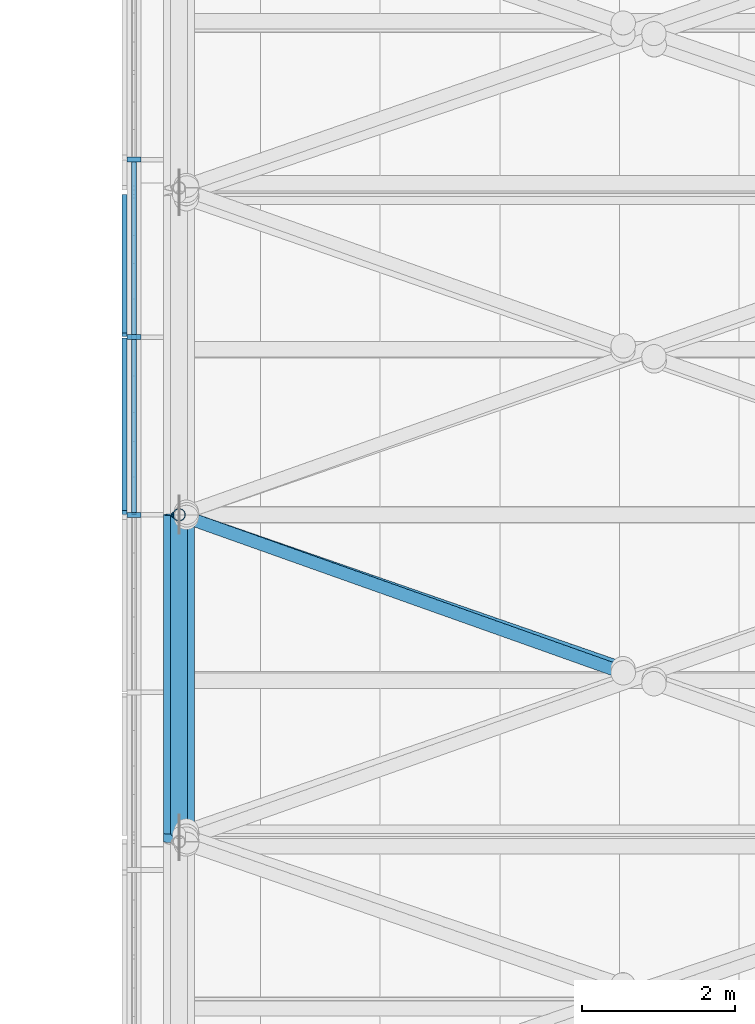
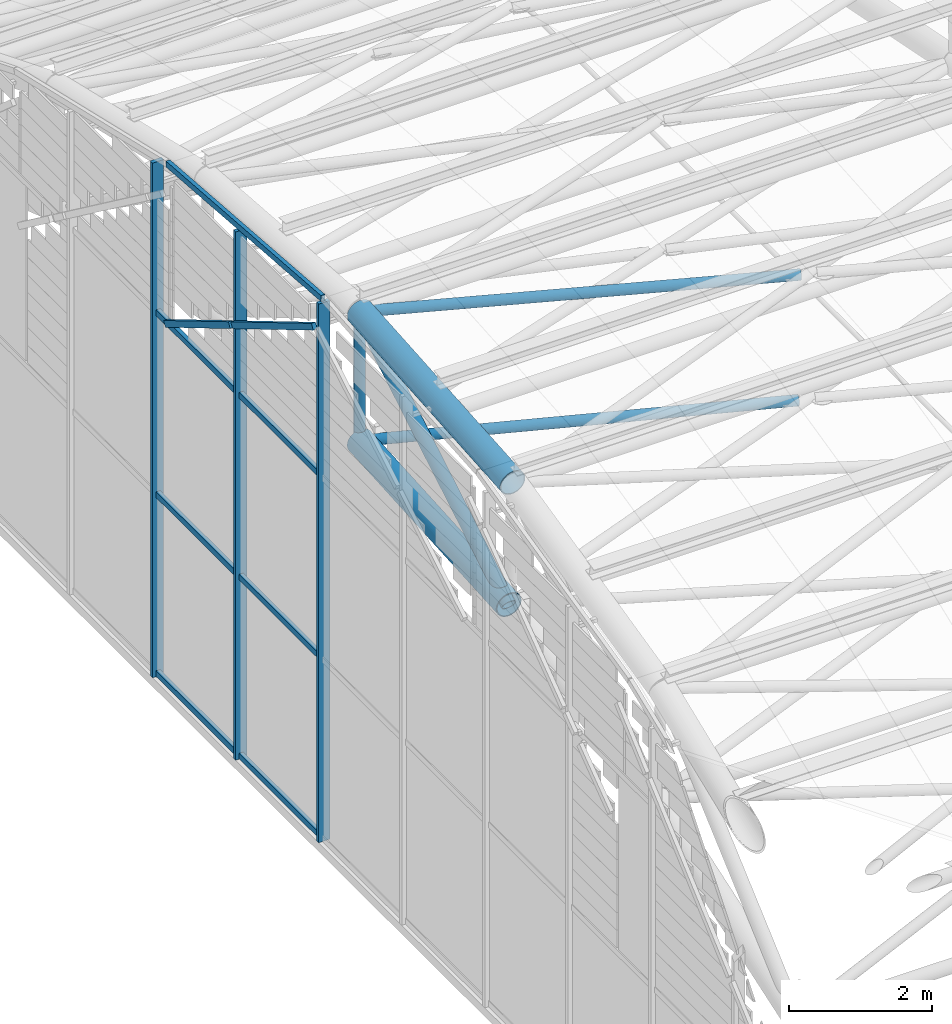
# One storey, part 11 of 110: 18 members, 1 element without a shape of its own.
"""IFC4 building model written with IfcOpenShell, lengths in metres."""

import ifcopenshell
import ifcopenshell.guid

model = None  # the IFC model being written
_history = None  # IfcOwnerHistory: only IFC2X3 demands one
_inside = {}  # id of a spatial element -> (the spatial element, [elements in it])
_under = {}  # id of a project, library or spatial element -> (it, [spatial elements below it])
_declared = {}  # id of a project -> (the project, [libraries it declares])
_typed = {}  # id of a type object -> (the type object, [elements of that type])
_made_of = {}  # id of a material, layer set ... -> (it, [elements and type objects made of it])


def new_model(schema):
    """Start an empty IFC model of exactly this schema.

    Asked for "IFC4X3", IfcOpenShell would pick the latest addendum, in which some entities
    have other attributes; the version numbers below select the first issue.
    IFC2X3 requires an IfcOwnerHistory on every rooted entity: one is made here for all.
    """
    global model, _history
    if schema == "IFC4X3":
        model = ifcopenshell.file(schema_version=(4, 3, 0, 0))
    else:
        model = ifcopenshell.file(schema=schema)
    _inside.clear()
    _under.clear()
    _declared.clear()
    _typed.clear()
    _made_of.clear()
    _history = None
    if model.schema == "IFC2X3":
        org = make("IfcOrganization", Name="unknown")
        user = make(
            "IfcPersonAndOrganization",
            ThePerson=make("IfcPerson", FamilyName="unknown"),
            TheOrganization=org,
        )
        app = make(
            "IfcApplication",
            ApplicationDeveloper=org,
            Version="unknown",
            ApplicationFullName="unknown",
            ApplicationIdentifier="unknown",
        )
        _history = make(
            "IfcOwnerHistory",
            OwningUser=user,
            OwningApplication=app,
            ChangeAction="ADDED",
            CreationDate=0,
        )
    return model


def make(cls, **values):
    """One entity of the class cls with the attributes given. An attribute that is None is left unset."""
    return model.create_entity(
        cls, **{name: value for name, value in values.items() if value is not None}
    )


def rooted(cls, **values):
    """An entity with a GlobalId (a new one), such as an element, a storey or a relation."""
    return make(cls, GlobalId=ifcopenshell.guid.new(), OwnerHistory=_history, **values)


def si_unit(unit_type, name, prefix=None):
    """IfcSIUnit, for example si_unit("LENGTHUNIT", "METRE", prefix="MILLI")."""
    return make("IfcSIUnit", UnitType=unit_type, Prefix=prefix, Name=name)


def assignment(units):
    """IfcUnitAssignment: the units of a project."""
    return None if units is None else make("IfcUnitAssignment", Units=units)


def point(xyz):
    """IfcCartesianPoint."""
    return None if xyz is None else make("IfcCartesianPoint", Coordinates=xyz)


def direction(xyz):
    """IfcDirection."""
    return None if xyz is None else make("IfcDirection", DirectionRatios=xyz)


def frame(location, z_axis=None, x_axis=None):
    """IfcAxis2Placement3D, a coordinate frame: its origin and axes. An axis left out is left unset."""
    return make(
        "IfcAxis2Placement3D",
        Location=point(location),
        Axis=direction(z_axis),
        RefDirection=direction(x_axis),
    )


def frame_2d(location, x_axis=None):
    """IfcAxis2Placement2D, a coordinate frame in the plane: its origin and x axis."""
    return make(
        "IfcAxis2Placement2D", Location=point(location), RefDirection=direction(x_axis)
    )


def origin():
    """The frame at (0, 0, 0) with its axes left unset."""
    return frame((0.0, 0.0, 0.0))


def origin_2d():
    """The frame at (0, 0) in the plane with its x axis left unset."""
    return frame_2d((0.0, 0.0))


def place(relative_to, where):
    """IfcLocalPlacement: puts the frame where relative to a parent placement (None: the world)."""
    return make(
        "IfcLocalPlacement", PlacementRelTo=relative_to, RelativePlacement=where
    )


def context(
    kind, dimensions, precision=None, world=None, true_north=None, identifier=None
):
    """IfcGeometricRepresentationContext, for example the 3D "Model" context."""
    return make(
        "IfcGeometricRepresentationContext",
        ContextIdentifier=identifier,
        ContextType=kind,
        CoordinateSpaceDimension=dimensions,
        Precision=precision,
        WorldCoordinateSystem=world,
        TrueNorth=true_north,
    )


def subcontext(parent, identifier, kind, view, scale=None):
    """IfcGeometricRepresentationSubContext, for example "Body" below "Model"."""
    return make(
        "IfcGeometricRepresentationSubContext",
        ContextIdentifier=identifier,
        ContextType=kind,
        ParentContext=parent,
        TargetScale=scale,
        TargetView=view,
    )


def project(units=None, contexts=None):
    """IfcProject with its units and contexts."""
    return rooted(
        "IfcProject",
        Name="project",
        RepresentationContexts=contexts,
        UnitsInContext=assignment(units),
    )


def spatial(cls, under=None, at=None, **own):
    """A site, building, storey or space (cls), placed at a placement, below another one or the project."""
    s = rooted(cls, ObjectPlacement=at, **own)
    if under is not None:
        _under.setdefault(under.id(), (under, []))[1].append(s)
    return s


def profile(cls, at=None, kind="AREA", **sizes):
    """A parametric profile (cls). Its sizes go by their IFC names, for example OverallWidth=200.0."""
    return make(cls, ProfileType=kind, Position=at, **sizes)


def rectangle(**sizes):
    """IfcRectangleProfileDef."""
    return profile("IfcRectangleProfileDef", **sizes)


def hollow_circle(**sizes):
    """IfcCircleHollowProfileDef."""
    return profile("IfcCircleHollowProfileDef", **sizes)


def extrude(swept, where, along, depth):
    """IfcExtrudedAreaSolid: the profile swept, set in the frame where, extruded along a direction by depth."""
    return make(
        "IfcExtrudedAreaSolid",
        SweptArea=swept,
        Position=where,
        ExtrudedDirection=direction(along),
        Depth=depth,
    )


def shape(context_of_items, identifier, shape_type, items):
    """IfcShapeRepresentation: the items that make up one representation, for example the "Body"."""
    return make(
        "IfcShapeRepresentation",
        ContextOfItems=context_of_items,
        RepresentationIdentifier=identifier,
        RepresentationType=shape_type,
        Items=items,
    )


def material(Name=None, Category=None):
    """IfcMaterial."""
    return make("IfcMaterial", Name=Name, Category=Category)


def layer(
    of_material, thickness, ventilated=None, Name=None, Category=None, Priority=None
):
    """IfcMaterialLayer: one layer of a wall or slab, of a material (None: an air gap)."""
    return make(
        "IfcMaterialLayer",
        Material=of_material,
        LayerThickness=thickness,
        IsVentilated=ventilated,
        Name=Name,
        Category=Category,
        Priority=Priority,
    )


def layer_set(layers, Name=None):
    """IfcMaterialLayerSet."""
    return make("IfcMaterialLayerSet", MaterialLayers=layers, LayerSetName=Name)


def material_profile(
    of_material, cross_section, Name=None, Category=None, Priority=None
):
    """IfcMaterialProfile: a cross section and its material."""
    return make(
        "IfcMaterialProfile",
        Name=Name,
        Material=of_material,
        Profile=cross_section,
        Priority=Priority,
        Category=Category,
    )


def profile_set(profiles, Name=None, composite=None):
    """IfcMaterialProfileSet."""
    return make(
        "IfcMaterialProfileSet",
        Name=Name,
        MaterialProfiles=profiles,
        CompositeProfile=composite,
    )


def made_of(thing, what):
    """Note that an element or type object is made of a material, layer set ...; save() writes the relation."""
    if what is not None:
        _made_of.setdefault(what.id(), (what, []))[1].append(thing)
    return thing


def type_object(cls, material=None, **own):
    """A type object (cls), such as IfcWallType, which elements share."""
    return made_of(rooted(cls, **own), material)


def element(
    cls,
    number,
    at=None,
    inside=None,
    cuts=None,
    type_object=None,
    material=None,
    context=None,
    identifier="Body",
    shape_type=None,
    held_by="IfcProductDefinitionShape",
    body=None,
    shapes=None,
    **own,
):
    """One element of the class cls, such as IfcWall. Its Tag is "e" and its number.

    at: its placement. inside: the storey or other place that contains it. cuts: it is an
    opening in that element (IfcRelVoidsElement). A single representation is given by context,
    identifier, shape_type and body (its items); several are given by shapes. held_by: the class
    of the entity that holds the representations. save() writes the other relations.
    """
    e = rooted(cls, Tag="e%d" % number, ObjectPlacement=at, **own)
    if body is not None:
        shapes = [shape(context, identifier, shape_type, body)]
    if shapes is not None:
        e.Representation = make(held_by, Representations=shapes)
    if inside is not None:
        _inside.setdefault(inside.id(), (inside, []))[1].append(e)
    if cuts is not None:
        rooted(
            "IfcRelVoidsElement", RelatingBuildingElement=cuts, RelatedOpeningElement=e
        )
    if type_object is not None:
        _typed.setdefault(type_object.id(), (type_object, []))[1].append(e)
    return made_of(e, material)


def aggregate(whole, parts):
    """IfcRelAggregates: a whole, such as a stair, and the parts it consists of."""
    return rooted("IfcRelAggregates", RelatingObject=whole, RelatedObjects=parts)


def save(model, path):
    """Write the relations noted so far, then the file.

    IfcRelAggregates (storeys below a building ...), IfcRelContainedInSpatialStructure (elements
    in a storey), IfcRelDefinesByType, IfcRelAssociatesMaterial and IfcRelDeclares: one each for
    every whole, place, type object, material and project.
    """
    for whole, parts in _under.values():
        aggregate(whole, parts)
    for where, things in _inside.values():
        rooted(
            "IfcRelContainedInSpatialStructure",
            RelatedElements=things,
            RelatingStructure=where,
        )
    for kind, things in _typed.values():
        rooted("IfcRelDefinesByType", RelatedObjects=things, RelatingType=kind)
    for what, things in _made_of.values():
        rooted("IfcRelAssociatesMaterial", RelatedObjects=things, RelatingMaterial=what)
    for by, libraries in _declared.values():
        rooted("IfcRelDeclares", RelatingContext=by, RelatedDefinitions=libraries)
    model.write(path)


model = new_model("IFC4")

# Units and contexts
model_context = context("Model", 3, precision=1e-05, world=origin(), true_north=direction((0.0, 1.0)))
body_context = subcontext(model_context, "Body", "Model", "MODEL_VIEW")
ifc_project = project(units=[si_unit("LENGTHUNIT", "METRE"), si_unit("AREAUNIT", "SQUARE_METRE"), si_unit("VOLUMEUNIT", "CUBIC_METRE"), si_unit("PLANEANGLEUNIT", "RADIAN"), si_unit("MASSUNIT", "GRAM", prefix="KILO")], contexts=[model_context])

# Site, building, storey
site_placement = place(None, origin())
site = spatial("IfcSite", under=ifc_project, at=site_placement, CompositionType="ELEMENT")
building_placement = place(site_placement, origin())
building = spatial("IfcBuilding", under=site, at=building_placement, Name="Windward Yard Aquatics Centre", CompositionType="ELEMENT")
storey_placement = place(building_placement, frame((0.0, 0.0, 22.60009765625)))
storey = spatial("IfcBuildingStorey", under=building, at=storey_placement, Name="L05", CompositionType="ELEMENT", Elevation=22.60009765625)

# Curtain wall, members
ifc_material_1 = material(Name="Glass and aluminium curtain wall", Category="aluminium")
ifc_layer = layer(ifc_material_1, 0.179931640625)
ifc_layer_set = layer_set([ifc_layer], Name="H gable glazing system double glazed 8+16+8")
curtain_wall_type = type_object("IfcCurtainWallType", Name="H gable glazing system double glazed 8+16+8", PredefinedType="NOTDEFINED", material=ifc_layer_set)
curtain_wall_placement = place(storey_placement, origin())
curtain_wall = element("IfcCurtainWall", 1, at=curtain_wall_placement, inside=storey, type_object=curtain_wall_type, Name="Gable glazing W", PredefinedType="NOTDEFINED")
ifc_material_2 = material(Name="Aluminium 6063-T6 anodised", Category="aluminium")
ifc_material_profile_1 = material_profile(ifc_material_2, rectangle(XDim=0.06494140625, YDim=0.179931640625, at=origin_2d()), Name="H CW mullion 65x180")
ifc_profile_set_1 = profile_set([ifc_material_profile_1], Name="Aluminium 6063-T6 anodised")
member_type_1 = type_object("IfcMemberType", Name="H CW mullion 65x180", PredefinedType="MULLION", material=ifc_profile_set_1)
member_1_placement = place(storey_placement, frame((59.409912109375, 61.0, 0.0), z_axis=(0.0, 0.0, 1.0), x_axis=(0.0, 1.0, 0.0)))
member_1 = element("IfcMember", 2, at=member_1_placement, type_object=member_type_1, Name="Gable mullion 10", PredefinedType="MULLION", context=body_context, shape_type="SweptSolid", body=[
    extrude(rectangle(XDim=0.06494140625, YDim=0.179931640625, at=origin_2d()), origin(), (0.0, 0.0, 1.0), 9.180419921875),
])
member_2_placement = place(storey_placement, frame((59.409912109375, 63.3193359375, 0.0), z_axis=(0.0, 0.0, 1.0), x_axis=(0.0, 1.0, 0.0)))
member_2 = element("IfcMember", 3, at=member_2_placement, type_object=member_type_1, Name="Gable mullion 11", PredefinedType="MULLION", context=body_context, shape_type="SweptSolid", body=[
    extrude(rectangle(XDim=0.06494140625, YDim=0.179931640625, at=origin_2d()), origin(), (0.0, 0.0, 1.0), 9.002685546875),
])
member_3_placement = place(storey_placement, frame((59.409912109375, 65.638427734375, 0.0), z_axis=(0.0, 0.0, 1.0), x_axis=(0.0, 1.0, 0.0)))
member_3 = element("IfcMember", 4, at=member_3_placement, type_object=member_type_1, Name="Gable mullion 12", PredefinedType="MULLION", context=body_context, shape_type="SweptSolid", body=[
    extrude(rectangle(XDim=0.06494140625, YDim=0.179931640625, at=origin_2d()), origin(), (0.0, 0.0, 1.0), 8.771240234375),
])
ifc_material_profile_2 = material_profile(ifc_material_2, rectangle(XDim=0.06494140625, YDim=0.10009765625, at=origin_2d()), Name="H CW transom 65x100")
ifc_profile_set_2 = profile_set([ifc_material_profile_2], Name="Aluminium 6063-T6 anodised")
member_type_2 = type_object("IfcMemberType", Name="H CW transom 65x100", PredefinedType="USERDEFINED", material=ifc_profile_set_2)
member_4_placement = place(storey_placement, frame((59.409912109375, 61.00390625, 9.232666015625), z_axis=(0.0, 0.997081887747, -0.076339433631), x_axis=(-1.0, 0.0, 0.0)))
member_4 = element("IfcMember", 5, at=member_4_placement, type_object=member_type_2, Name="Gable head rail 6", ObjectType="TRANSOM", PredefinedType="USERDEFINED", context=body_context, shape_type="SweptSolid", body=[
    extrude(rectangle(XDim=0.06494140625, YDim=0.10009765625, at=origin_2d()), origin(), (0.0, 0.0, 1.0), 4.33984375),
])
member_5_placement = place(storey_placement, frame((59.409912109375, 61.032470703125, 0.0498046875), z_axis=(0.0, 1.0, 0.0), x_axis=(-1.0, 0.0, 0.0)))
member_5 = element("IfcMember", 6, at=member_5_placement, type_object=member_type_2, Name="Gable transom 10.1", ObjectType="TRANSOM", PredefinedType="USERDEFINED", context=body_context, shape_type="SweptSolid", body=[
    extrude(rectangle(XDim=0.06494140625, YDim=0.10009765625, at=origin_2d()), origin(), (0.0, 0.0, 1.0), 2.254150390625),
])
member_6_placement = place(storey_placement, frame((59.409912109375, 61.032470703125, 3.099853515625), z_axis=(0.0, 1.0, 0.0), x_axis=(-1.0, 0.0, 0.0)))
member_6 = element("IfcMember", 7, at=member_6_placement, type_object=member_type_2, Name="Gable transom 10.2", ObjectType="TRANSOM", PredefinedType="USERDEFINED", context=body_context, shape_type="SweptSolid", body=[
    extrude(rectangle(XDim=0.06494140625, YDim=0.10009765625, at=origin_2d()), origin(), (0.0, 0.0, 1.0), 2.254150390625),
])
member_7_placement = place(storey_placement, frame((59.409912109375, 61.032470703125, 6.199951171875), z_axis=(0.0, 1.0, 0.0), x_axis=(-1.0, 0.0, 0.0)))
member_7 = element("IfcMember", 8, at=member_7_placement, type_object=member_type_2, Name="Gable transom 10.3", ObjectType="TRANSOM", PredefinedType="USERDEFINED", context=body_context, shape_type="SweptSolid", body=[
    extrude(rectangle(XDim=0.06494140625, YDim=0.10009765625, at=origin_2d()), origin(), (0.0, 0.0, 1.0), 2.254150390625),
])
member_8_placement = place(storey_placement, frame((59.409912109375, 63.351806640625, 0.0498046875), z_axis=(0.0, 1.0, 0.0), x_axis=(-1.0, 0.0, 0.0)))
member_8 = element("IfcMember", 9, at=member_8_placement, type_object=member_type_2, Name="Gable transom 11.1", ObjectType="TRANSOM", PredefinedType="USERDEFINED", context=body_context, shape_type="SweptSolid", body=[
    extrude(rectangle(XDim=0.06494140625, YDim=0.10009765625, at=origin_2d()), origin(), (0.0, 0.0, 1.0), 2.254150390625),
])
member_9_placement = place(storey_placement, frame((59.409912109375, 63.351806640625, 3.099853515625), z_axis=(0.0, 1.0, 0.0), x_axis=(-1.0, 0.0, 0.0)))
member_9 = element("IfcMember", 10, at=member_9_placement, type_object=member_type_2, Name="Gable transom 11.2", ObjectType="TRANSOM", PredefinedType="USERDEFINED", context=body_context, shape_type="SweptSolid", body=[
    extrude(rectangle(XDim=0.06494140625, YDim=0.10009765625, at=origin_2d()), origin(), (0.0, 0.0, 1.0), 2.254150390625),
])
member_10_placement = place(storey_placement, frame((59.409912109375, 63.351806640625, 6.199951171875), z_axis=(0.0, 1.0, 0.0), x_axis=(-1.0, 0.0, 0.0)))
member_10 = element("IfcMember", 11, at=member_10_placement, type_object=member_type_2, Name="Gable transom 11.3", ObjectType="TRANSOM", PredefinedType="USERDEFINED", context=body_context, shape_type="SweptSolid", body=[
    extrude(rectangle(XDim=0.06494140625, YDim=0.10009765625, at=origin_2d()), origin(), (0.0, 0.0, 1.0), 2.254150390625),
])
member_11_placement = place(storey_placement, frame((59.28759765625, 61.032470703125, 8.77734375), z_axis=(0.0, 0.859613254044, -0.510945254868), x_axis=(-1.0, 0.0, 0.0)))
member_11 = element("IfcMember", 12, at=member_11_placement, type_object=member_type_2, Name="Gable cover strip 6.1", ObjectType="COVER STRIP", PredefinedType="USERDEFINED", context=body_context, shape_type="SweptSolid", body=[
    extrude(rectangle(XDim=0.06494140625, YDim=0.10009765625, at=origin_2d()), origin(), (0.0, 0.0, 1.0), 2.622314453125),
])
member_12_placement = place(storey_placement, frame((59.28759765625, 63.351806640625, 7.398681640625), z_axis=(0.0, 0.859604754402, -0.510959554378), x_axis=(-1.0, 0.0, 0.0)))
member_12 = element("IfcMember", 13, at=member_12_placement, type_object=member_type_2, Name="Gable cover strip 6.2", ObjectType="COVER STRIP", PredefinedType="USERDEFINED", context=body_context, shape_type="SweptSolid", body=[
    extrude(rectangle(XDim=0.06494140625, YDim=0.10009765625, at=origin_2d()), origin(), (0.0, 0.0, 1.0), 2.104248046875),
])
aggregate(curtain_wall, [member_1, member_2, member_3, member_4, member_5, member_6, member_7, member_8, member_9, member_10, member_11, member_12])

# Members
ifc_material_3 = material(Name="Steel ASTM A500 Gr C", Category="steel")
ifc_material_profile_3 = material_profile(ifc_material_3, hollow_circle(Radius=0.084228515625, WallThickness=0.010986328125, at=origin_2d()), Name="HSS168.3X11")
ifc_profile_set_3 = profile_set([ifc_material_profile_3], Name="Steel ASTM A500 Gr C")
member_type_3 = type_object("IfcMemberType", Name="H arch post HSS168.3X11", PredefinedType="POST", material=ifc_profile_set_3)
member_13_placement = place(storey_placement, frame((60.0, 61.0, 6.5966796875), z_axis=(0.0, 0.0, 1.0), x_axis=(1.0, 0.0, 0.0)))
element("IfcMember", 14, at=member_13_placement, inside=storey, type_object=member_type_3, Name="H.AT.1.WP06", PredefinedType="POST", context=body_context, shape_type="SweptSolid", body=[
    extrude(hollow_circle(Radius=0.084228515625, WallThickness=0.010986328125, at=origin_2d()), origin(), (0.0, 0.0, 1.0), 2.199951171875),
])
ifc_material_profile_4 = material_profile(ifc_material_3, hollow_circle(Radius=0.203125, WallThickness=0.015869140625, at=origin_2d()), Name="HSS406.4X15.9")
ifc_profile_set_4 = profile_set([ifc_material_profile_4], Name="Steel ASTM A500 Gr C")
member_type_4 = type_object("IfcMemberType", Name="H arch top chord HSS406.4X15.9", PredefinedType="CHORD", material=ifc_profile_set_4)
member_14_placement = place(storey_placement, frame((60.0, 56.7314453125, 8.4697265625), z_axis=(0.0, 0.997080259355, 0.076360699341), x_axis=(-1.0, 0.0, 0.0)))
element("IfcMember", 15, at=member_14_placement, inside=storey, type_object=member_type_4, Name="H.AT.1.TC05", PredefinedType="CHORD", context=body_context, shape_type="SweptSolid", body=[
    extrude(hollow_circle(Radius=0.203125, WallThickness=0.015869140625, at=origin_2d()), origin(), (0.0, 0.0, 1.0), 4.281005859375),
])
member_15_placement = place(storey_placement, frame((60.0, 56.83935546875, 6.323486328125), z_axis=(0.0, 0.997851241995, 0.065520217098), x_axis=(-1.0, 0.0, 0.0)))
element("IfcMember", 16, at=member_15_placement, inside=storey, type_object=member_type_4, Name="H.AT.1.BC05", PredefinedType="CHORD", context=body_context, shape_type="SweptSolid", body=[
    extrude(hollow_circle(Radius=0.203125, WallThickness=0.015869140625, at=origin_2d()), origin(), (0.0, 0.0, 1.0), 4.169677734375),
])
ifc_material_profile_5 = material_profile(ifc_material_3, hollow_circle(Radius=0.109619140625, WallThickness=0.00830078125, at=origin_2d()), Name="HSS219.1X8.2")
ifc_profile_set_5 = profile_set([ifc_material_profile_5], Name="Steel ASTM A500 Gr C")
member_type_5 = type_object("IfcMemberType", Name="H arch web diagonal HSS219.1X8.2", PredefinedType="BRACE", material=ifc_profile_set_5)
member_16_placement = place(storey_placement, frame((60.0, 56.83935546875, 6.323486328125), z_axis=(0.0, 0.859604150376, 0.51096057055), x_axis=(-1.0, 0.0, 0.0)))
element("IfcMember", 17, at=member_16_placement, inside=storey, type_object=member_type_5, Name="H.AT.1.WD05", PredefinedType="BRACE", context=body_context, shape_type="SweptSolid", body=[
    extrude(hollow_circle(Radius=0.109619140625, WallThickness=0.00830078125, at=origin_2d()), origin(), (0.0, 0.0, 1.0), 4.840087890625),
])
ifc_material_profile_6 = material_profile(ifc_material_3, hollow_circle(Radius=0.084228515625, WallThickness=0.007080078125, at=origin_2d()), Name="HSS168.3X7.1")
ifc_profile_set_6 = profile_set([ifc_material_profile_6], Name="Steel ASTM A500 Gr C")
member_type_6 = type_object("IfcMemberType", Name="H roof brace HSS168.3X7.1", PredefinedType="BRACE", material=ifc_profile_set_6)
member_17_placement = place(storey_placement, frame((60.0, 61.0, 8.796630859375), z_axis=(0.941857174882, -0.33503428172, -0.025633809606), x_axis=(0.335144410202, 0.942166770965, 0.0)))
element("IfcMember", 18, at=member_17_placement, inside=storey, type_object=member_type_6, Name="H.RB.1.T05B1", PredefinedType="BRACE", context=body_context, shape_type="SweptSolid", body=[
    extrude(hollow_circle(Radius=0.084228515625, WallThickness=0.007080078125, at=origin_2d()), origin(), (0.0, 0.0, 1.0), 6.25732421875),
])
member_18_placement = place(storey_placement, frame((60.0, 61.0, 6.5966796875), z_axis=(0.944598229058, -0.327524402532, -0.021493054864), x_axis=(0.327600078932, 0.944816483918, 0.0)))
element("IfcMember", 19, at=member_18_placement, inside=storey, type_object=member_type_6, Name="H.RB.1.B05B1", PredefinedType="BRACE", context=body_context, shape_type="SweptSolid", body=[
    extrude(hollow_circle(Radius=0.084228515625, WallThickness=0.007080078125, at=origin_2d()), origin(), (0.0, 0.0, 1.0), 6.236083984375),
])

save(model, "model.ifc")
